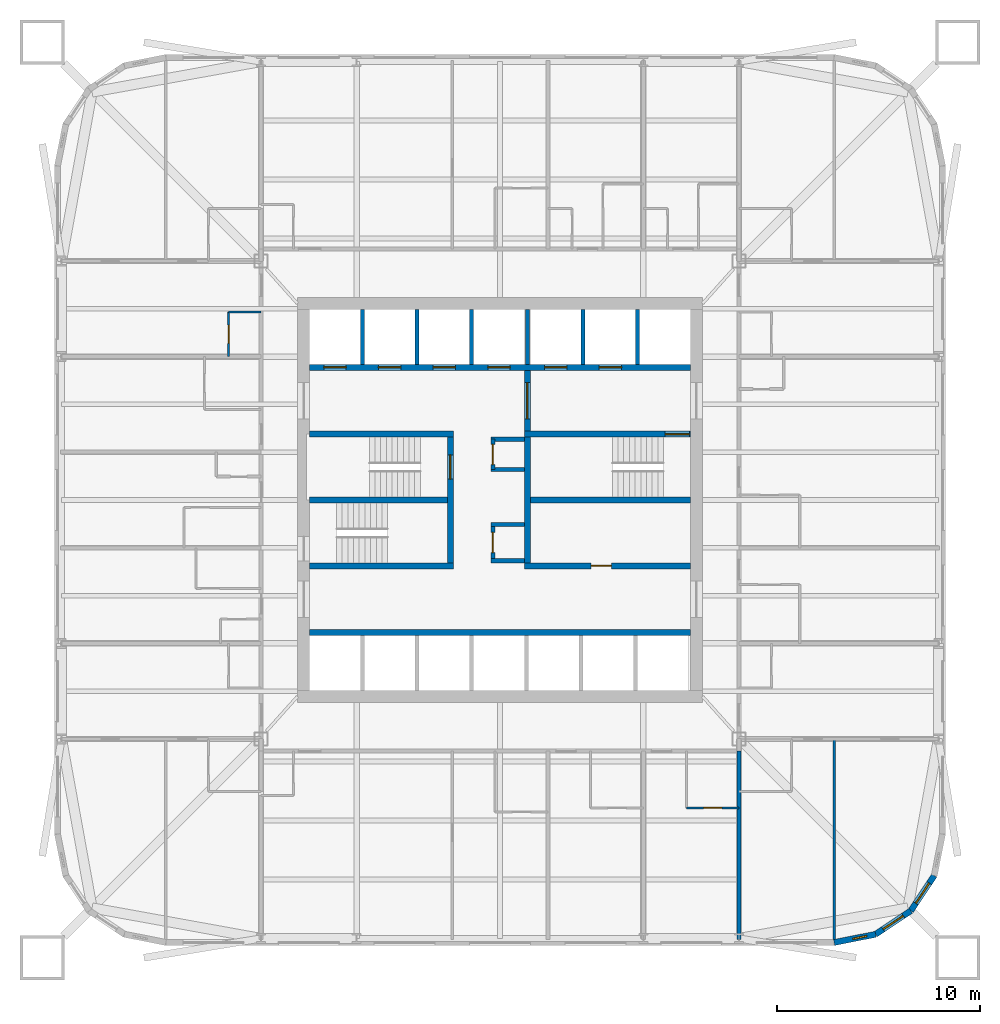
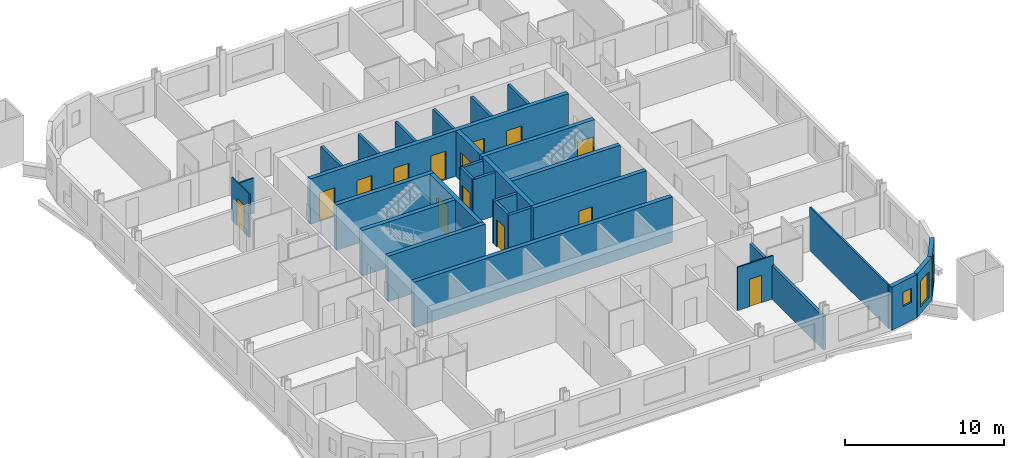
# One storey, part 5 of 10: 30 walls, 14 doors, 3 windows, 17 openings.
"""IFC4 building model written with IfcOpenShell, lengths in metres."""

from ifc_helpers import new_model, si_unit, direction, frame, frame_2d, origin, place, context, subcontext, project, spatial, rectangle, extrude, material, layer, layer_set, type_object, element, fill, save


model = new_model("IFC4")

# Units and contexts
model_context = context("Model", 3, precision=1e-05, world=origin(), true_north=direction((0.0, 1.0)))
body_context = subcontext(model_context, "Body", "Model", "MODEL_VIEW")
ifc_project = project(units=[si_unit("LENGTHUNIT", "METRE"), si_unit("AREAUNIT", "SQUARE_METRE"), si_unit("VOLUMEUNIT", "CUBIC_METRE"), si_unit("PLANEANGLEUNIT", "RADIAN"), si_unit("MASSUNIT", "GRAM", prefix="KILO")], contexts=[model_context])

# Site, building, storey
site_placement = place(None, origin())
site = spatial("IfcSite", under=ifc_project, at=site_placement, CompositionType="ELEMENT")
building_placement = place(site_placement, origin())
building = spatial("IfcBuilding", under=site, at=building_placement, Name="Turquesa Mirador Hotel Tower", CompositionType="ELEMENT")
storey_placement = place(building_placement, frame((0.0, 0.0, 32.0)))
storey = spatial("IfcBuildingStorey", under=building, at=storey_placement, Name="L07", CompositionType="ELEMENT", Elevation=32.0)

# Wall, opening, door
ifc_material_1 = material(Name="Gypsum board on steel studs", Category="steel")
ifc_layer_1 = layer(ifc_material_1, 0.10009765625)
ifc_layer_set_1 = layer_set([ifc_layer_1], Name="BATHROOM WALL 100")
wall_type_1 = type_object("IfcWallType", Name="BATHROOM WALL 100", PredefinedType="PARTITIONING", material=ifc_layer_set_1)
wall_1_placement = place(storey_placement, frame((64.199951171875, 29.800048828125, 0.0), z_axis=(0.0, 0.0, 1.0), x_axis=(1.0, 0.0, 0.0)))
wall_1 = element("IfcWall", 1, at=wall_1_placement, inside=storey, type_object=wall_type_1, Name="Partition L07 011", PredefinedType="PARTITIONING", context=body_context, shape_type="SweptSolid", body=[
    extrude(rectangle(XDim=2.60009765625, YDim=0.10009765625, at=frame_2d((1.300048828125, 0.0))), origin(), (0.0, 0.0, 1.0), 3.330078125),
])
opening_1_placement = place(wall_1_placement, frame((0.85009765625, 0.0, 0.0)))
opening_1 = element("IfcOpeningElement", 2, at=opening_1_placement, cuts=wall_1, Name="Opening D02", PredefinedType="OPENING", context=body_context, shape_type="SweptSolid", body=[
    extrude(rectangle(XDim=0.89990234375, YDim=2.10009765625, at=frame_2d((0.449951171875, 1.050048828125))), frame((0.0, 0.06005859375, 0.0), z_axis=(0.0, -1.0, 0.0), x_axis=(1.0, 0.0, 0.0)), (0.0, 0.0, 1.0), 0.1201171875),
])
ifc_material_2 = material(Name="Timber veneered door", Category="wood")
door_type_1 = type_object("IfcDoorType", Name="DOOR 900X2100 EN-SUITE", OperationType="SINGLE_SWING_RIGHT", PredefinedType="DOOR", material=ifc_material_2)
door_1_placement = place(opening_1_placement, origin())
door_1 = element("IfcDoor", 3, at=door_1_placement, inside=storey, type_object=door_type_1, Name="Door 0706B", OperationType="SINGLE_SWING_RIGHT", OverallHeight=2.10009765625, OverallWidth=0.89990234375, PredefinedType="DOOR", context=body_context, shape_type="SweptSolid", body=[
    extrude(rectangle(XDim=0.89990234375, YDim=2.10009765625, at=frame_2d((0.449951171875, 1.050048828125))), frame((0.0, 0.02490234375, 0.0), z_axis=(0.0, -1.0, 0.0), x_axis=(1.0, 0.0, 0.0)), (0.0, 0.0, 1.0), 0.050048828125),
])
fill(opening_1, door_1)

# Wall
wall_2_placement = place(storey_placement, frame((41.60009765625, 54.280029296875, 0.0), z_axis=(0.0, 0.0, 1.0), x_axis=(1.0, 0.0, 0.0)))
element("IfcWall", 4, at=wall_2_placement, inside=storey, type_object=wall_type_1, Name="Partition L07 042", PredefinedType="PARTITIONING", context=body_context, shape_type="SweptSolid", body=[
    extrude(rectangle(XDim=1.599853515625, YDim=0.10009765625, at=frame_2d((0.7998046875, 0.0))), origin(), (0.0, 0.0, 1.0), 2.722900390625),
])

# Wall, opening, door
wall_3_placement = place(storey_placement, frame((41.60009765625, 52.080078125, 0.0), z_axis=(0.0, 0.0, 1.0), x_axis=(0.0, 1.0, 0.0)))
wall_3 = element("IfcWall", 5, at=wall_3_placement, inside=storey, type_object=wall_type_1, Name="Partition L07 054", PredefinedType="PARTITIONING", context=body_context, shape_type="SweptSolid", body=[
    extrude(rectangle(XDim=2.199951171875, YDim=0.10009765625, at=frame_2d((1.10009765625, 0.0))), origin(), (0.0, 0.0, 1.0), 3.330078125),
])
opening_2_placement = place(wall_3_placement, frame((0.64990234375, 0.0, 0.0)))
opening_2 = element("IfcOpeningElement", 6, at=opening_2_placement, cuts=wall_3, Name="Opening D06", PredefinedType="OPENING", context=body_context, shape_type="SweptSolid", body=[
    extrude(rectangle(XDim=0.89990234375, YDim=2.10009765625, at=frame_2d((0.449951171875, 1.050048828125))), frame((0.0, 0.06005859375, 0.0), z_axis=(0.0, -1.0, 0.0), x_axis=(1.0, 0.0, 0.0)), (0.0, 0.0, 1.0), 0.1201171875),
])
ifc_material_3 = material(Name="Laminate door", Category="wood")
door_type_2 = type_object("IfcDoorType", Name="DOOR 900X2100 WC", OperationType="SINGLE_SWING_LEFT", PredefinedType="DOOR", material=ifc_material_3)
door_2_placement = place(opening_2_placement, origin())
door_2 = element("IfcDoor", 7, at=door_2_placement, inside=storey, type_object=door_type_2, Name="Door 0713W", OperationType="SINGLE_SWING_LEFT", OverallHeight=2.10009765625, OverallWidth=0.89990234375, PredefinedType="DOOR", context=body_context, shape_type="SweptSolid", body=[
    extrude(rectangle(XDim=0.89990234375, YDim=2.10009765625, at=frame_2d((0.449951171875, 1.050048828125))), frame((0.0, 0.02490234375, 0.0), z_axis=(0.0, -1.0, 0.0), x_axis=(1.0, 0.0, 0.0)), (0.0, 0.0, 1.0), 0.050048828125),
])
fill(opening_2, door_2)

# Wall, openings, doors
ifc_material_4 = material(Name="Concrete C50/60", Category="concrete")
ifc_layer_2 = layer(ifc_material_4, 0.300048828125)
ifc_layer_set_2 = layer_set([ifc_layer_2], Name="CORE INNER WALL 300")
wall_type_2 = type_object("IfcWallType", Name="CORE INNER WALL 300", PredefinedType="SHEAR", material=ifc_layer_set_2)
wall_4_placement = place(storey_placement, frame((45.60009765625, 51.550048828125, 0.0), z_axis=(0.0, 0.0, 1.0), x_axis=(1.0, 0.0, 0.0)))
wall_4 = element("IfcWall", 8, at=wall_4_placement, inside=storey, type_object=wall_type_2, Name="Core wall NL", PredefinedType="SHEAR", context=body_context, shape_type="SweptSolid", body=[
    extrude(rectangle(XDim=18.7998046875, YDim=0.300048828125, at=frame_2d((9.39990234375, 0.0))), origin(), (0.0, 0.0, 1.0), 3.5),
])
opening_3_placement = place(wall_4_placement, frame((0.699951171875, 0.0, 0.0)))
opening_3 = element("IfcOpeningElement", 9, at=opening_3_placement, cuts=wall_4, Name="Opening LD", PredefinedType="OPENING", context=body_context, shape_type="SweptSolid", body=[
    extrude(rectangle(XDim=1.10009765625, YDim=2.199951171875, at=frame_2d((0.550048828125, 1.10009765625))), frame((0.0, 0.159912109375, 0.0), z_axis=(0.0, -1.0, 0.0), x_axis=(1.0, 0.0, 0.0)), (0.0, 0.0, 1.0), 0.320068359375),
])
opening_4_placement = place(wall_4_placement, frame((3.39990234375, 0.0, 0.0)))
opening_4 = element("IfcOpeningElement", 10, at=opening_4_placement, cuts=wall_4, Name="Opening LD", PredefinedType="OPENING", context=body_context, shape_type="SweptSolid", body=[
    extrude(rectangle(XDim=1.10009765625, YDim=2.199951171875, at=frame_2d((0.550048828125, 1.10009765625))), frame((0.0, 0.159912109375, 0.0), z_axis=(0.0, -1.0, 0.0), x_axis=(1.0, 0.0, 0.0)), (0.0, 0.0, 1.0), 0.320068359375),
])
opening_5_placement = place(wall_4_placement, frame((6.10009765625, 0.0, 0.0)))
opening_5 = element("IfcOpeningElement", 11, at=opening_5_placement, cuts=wall_4, Name="Opening LD", PredefinedType="OPENING", context=body_context, shape_type="SweptSolid", body=[
    extrude(rectangle(XDim=1.10009765625, YDim=2.199951171875, at=frame_2d((0.550048828125, 1.10009765625))), frame((0.0, 0.159912109375, 0.0), z_axis=(0.0, -1.0, 0.0), x_axis=(1.0, 0.0, 0.0)), (0.0, 0.0, 1.0), 0.320068359375),
])
opening_6_placement = place(wall_4_placement, frame((8.800048828125, 0.0, 0.0)))
opening_6 = element("IfcOpeningElement", 12, at=opening_6_placement, cuts=wall_4, Name="Opening LD", PredefinedType="OPENING", context=body_context, shape_type="SweptSolid", body=[
    extrude(rectangle(XDim=1.10009765625, YDim=2.199951171875, at=frame_2d((0.550048828125, 1.10009765625))), frame((0.0, 0.159912109375, 0.0), z_axis=(0.0, -1.0, 0.0), x_axis=(1.0, 0.0, 0.0)), (0.0, 0.0, 1.0), 0.320068359375),
])
opening_7_placement = place(wall_4_placement, frame((11.60009765625, 0.0, 0.0)))
opening_7 = element("IfcOpeningElement", 13, at=opening_7_placement, cuts=wall_4, Name="Opening LD", PredefinedType="OPENING", context=body_context, shape_type="SweptSolid", body=[
    extrude(rectangle(XDim=1.10009765625, YDim=2.199951171875, at=frame_2d((0.550048828125, 1.10009765625))), frame((0.0, 0.159912109375, 0.0), z_axis=(0.0, -1.0, 0.0), x_axis=(1.0, 0.0, 0.0)), (0.0, 0.0, 1.0), 0.320068359375),
])
opening_8_placement = place(wall_4_placement, frame((14.300048828125, 0.0, 0.0)))
opening_8 = element("IfcOpeningElement", 14, at=opening_8_placement, cuts=wall_4, Name="Opening LD", PredefinedType="OPENING", context=body_context, shape_type="SweptSolid", body=[
    extrude(rectangle(XDim=1.10009765625, YDim=2.199951171875, at=frame_2d((0.550048828125, 1.10009765625))), frame((0.0, 0.159912109375, 0.0), z_axis=(0.0, -1.0, 0.0), x_axis=(1.0, 0.0, 0.0)), (0.0, 0.0, 1.0), 0.320068359375),
])
ifc_material_5 = material(Name="Stainless steel lift landing door", Category="steel")
door_type_3 = type_object("IfcDoorType", Name="LIFT LANDING DOOR 1100X2200", OperationType="SLIDING_TO_LEFT", PredefinedType="DOOR", material=ifc_material_5)
door_3_placement = place(opening_3_placement, origin())
door_3 = element("IfcDoor", 15, at=door_3_placement, inside=storey, type_object=door_type_3, Name="Lift A1 landing door", OperationType="SLIDING_TO_LEFT", OverallHeight=2.199951171875, OverallWidth=1.10009765625, PredefinedType="DOOR", context=body_context, shape_type="SweptSolid", body=[
    extrude(rectangle(XDim=1.10009765625, YDim=2.199951171875, at=frame_2d((0.550048828125, 1.10009765625))), frame((0.0, 0.02490234375, 0.0), z_axis=(0.0, -1.0, 0.0), x_axis=(1.0, 0.0, 0.0)), (0.0, 0.0, 1.0), 0.050048828125),
])
fill(opening_3, door_3)
door_4_placement = place(opening_4_placement, origin())
door_4 = element("IfcDoor", 16, at=door_4_placement, inside=storey, type_object=door_type_3, Name="Lift A2 landing door", OperationType="SLIDING_TO_LEFT", OverallHeight=2.199951171875, OverallWidth=1.10009765625, PredefinedType="DOOR", context=body_context, shape_type="SweptSolid", body=[
    extrude(rectangle(XDim=1.10009765625, YDim=2.199951171875, at=frame_2d((0.550048828125, 1.10009765625))), frame((0.0, 0.02490234375, 0.0), z_axis=(0.0, -1.0, 0.0), x_axis=(1.0, 0.0, 0.0)), (0.0, 0.0, 1.0), 0.050048828125),
])
fill(opening_4, door_4)
door_5_placement = place(opening_5_placement, origin())
door_5 = element("IfcDoor", 17, at=door_5_placement, inside=storey, type_object=door_type_3, Name="Lift A3 landing door", OperationType="SLIDING_TO_LEFT", OverallHeight=2.199951171875, OverallWidth=1.10009765625, PredefinedType="DOOR", context=body_context, shape_type="SweptSolid", body=[
    extrude(rectangle(XDim=1.10009765625, YDim=2.199951171875, at=frame_2d((0.550048828125, 1.10009765625))), frame((0.0, 0.02490234375, 0.0), z_axis=(0.0, -1.0, 0.0), x_axis=(1.0, 0.0, 0.0)), (0.0, 0.0, 1.0), 0.050048828125),
])
fill(opening_5, door_5)
door_6_placement = place(opening_6_placement, origin())
door_6 = element("IfcDoor", 18, at=door_6_placement, inside=storey, type_object=door_type_3, Name="Lift A4 landing door", OperationType="SLIDING_TO_LEFT", OverallHeight=2.199951171875, OverallWidth=1.10009765625, PredefinedType="DOOR", context=body_context, shape_type="SweptSolid", body=[
    extrude(rectangle(XDim=1.10009765625, YDim=2.199951171875, at=frame_2d((0.550048828125, 1.10009765625))), frame((0.0, 0.02490234375, 0.0), z_axis=(0.0, -1.0, 0.0), x_axis=(1.0, 0.0, 0.0)), (0.0, 0.0, 1.0), 0.050048828125),
])
fill(opening_6, door_6)
door_7_placement = place(opening_7_placement, origin())
door_7 = element("IfcDoor", 19, at=door_7_placement, inside=storey, type_object=door_type_3, Name="Lift S1 landing door", OperationType="SLIDING_TO_LEFT", OverallHeight=2.199951171875, OverallWidth=1.10009765625, PredefinedType="DOOR", context=body_context, shape_type="SweptSolid", body=[
    extrude(rectangle(XDim=1.10009765625, YDim=2.199951171875, at=frame_2d((0.550048828125, 1.10009765625))), frame((0.0, 0.02490234375, 0.0), z_axis=(0.0, -1.0, 0.0), x_axis=(1.0, 0.0, 0.0)), (0.0, 0.0, 1.0), 0.050048828125),
])
fill(opening_7, door_7)
door_8_placement = place(opening_8_placement, origin())
door_8 = element("IfcDoor", 20, at=door_8_placement, inside=storey, type_object=door_type_3, Name="Lift S2 landing door", OperationType="SLIDING_TO_LEFT", OverallHeight=2.199951171875, OverallWidth=1.10009765625, PredefinedType="DOOR", context=body_context, shape_type="SweptSolid", body=[
    extrude(rectangle(XDim=1.10009765625, YDim=2.199951171875, at=frame_2d((0.550048828125, 1.10009765625))), frame((0.0, 0.02490234375, 0.0), z_axis=(0.0, -1.0, 0.0), x_axis=(1.0, 0.0, 0.0)), (0.0, 0.0, 1.0), 0.050048828125),
])
fill(opening_8, door_8)

# Walls
wall_5_placement = place(storey_placement, frame((45.60009765625, 38.449951171875, 0.0), z_axis=(0.0, 0.0, 1.0), x_axis=(1.0, 0.0, 0.0)))
element("IfcWall", 21, at=wall_5_placement, inside=storey, type_object=wall_type_2, Name="Core wall SL", PredefinedType="SHEAR", context=body_context, shape_type="SweptSolid", body=[
    extrude(rectangle(XDim=18.7998046875, YDim=0.300048828125, at=frame_2d((9.39990234375, 0.0))), origin(), (0.0, 0.0, 1.0), 3.5),
])
wall_6_placement = place(storey_placement, frame((45.60009765625, 48.25, 0.0), z_axis=(0.0, 0.0, 1.0), x_axis=(1.0, 0.0, 0.0)))
element("IfcWall", 22, at=wall_6_placement, inside=storey, type_object=wall_type_2, Name="Core wall MN-W", PredefinedType="SHEAR", context=body_context, shape_type="SweptSolid", body=[
    extrude(rectangle(XDim=7.099853515625, YDim=0.300048828125, at=frame_2d((3.5498046875, 0.0))), origin(), (0.0, 0.0, 1.0), 3.5),
])

# Wall, opening, door
wall_7_placement = place(storey_placement, frame((56.199951171875, 48.25, 0.0), z_axis=(0.0, 0.0, 1.0), x_axis=(1.0, 0.0, 0.0)))
wall_7 = element("IfcWall", 23, at=wall_7_placement, inside=storey, type_object=wall_type_2, Name="Core wall MN-E", PredefinedType="SHEAR", context=body_context, shape_type="SweptSolid", body=[
    extrude(rectangle(XDim=8.199951171875, YDim=0.300048828125, at=frame_2d((4.10009765625, 0.0))), origin(), (0.0, 0.0, 1.0), 3.5),
])
opening_9_placement = place(wall_7_placement, frame((6.949951171875, 0.0, 0.0)))
opening_9 = element("IfcOpeningElement", 24, at=opening_9_placement, cuts=wall_7, Name="Opening D03", PredefinedType="OPENING", context=body_context, shape_type="SweptSolid", body=[
    extrude(rectangle(XDim=1.199951171875, YDim=2.199951171875, at=frame_2d((0.60009765625, 1.10009765625))), frame((0.0, 0.159912109375, 0.0), z_axis=(0.0, -1.0, 0.0), x_axis=(1.0, 0.0, 0.0)), (0.0, 0.0, 1.0), 0.320068359375),
])
ifc_material_6 = material(Name="Steel fire door", Category="steel")
door_type_4 = type_object("IfcDoorType", Name="DOOR 1200X2200 STAIR", OperationType="SINGLE_SWING_LEFT", PredefinedType="DOOR", material=ifc_material_6)
door_9_placement = place(opening_9_placement, origin())
door_9 = element("IfcDoor", 25, at=door_9_placement, inside=storey, type_object=door_type_4, Name="Stair ST3 door", OperationType="SINGLE_SWING_LEFT", OverallHeight=2.199951171875, OverallWidth=1.199951171875, PredefinedType="DOOR", context=body_context, shape_type="SweptSolid", body=[
    extrude(rectangle(XDim=1.199951171875, YDim=2.199951171875, at=frame_2d((0.60009765625, 1.10009765625))), frame((0.0, 0.02490234375, 0.0), z_axis=(0.0, -1.0, 0.0), x_axis=(1.0, 0.0, 0.0)), (0.0, 0.0, 1.0), 0.050048828125),
])
fill(opening_9, door_9)

# Wall
wall_8_placement = place(storey_placement, frame((45.60009765625, 41.75, 0.0), z_axis=(0.0, 0.0, 1.0), x_axis=(1.0, 0.0, 0.0)))
element("IfcWall", 26, at=wall_8_placement, inside=storey, type_object=wall_type_2, Name="Core wall MS-W", PredefinedType="SHEAR", context=body_context, shape_type="SweptSolid", body=[
    extrude(rectangle(XDim=7.099853515625, YDim=0.300048828125, at=frame_2d((3.5498046875, 0.0))), origin(), (0.0, 0.0, 1.0), 3.5),
])

# Wall, opening, door
wall_9_placement = place(storey_placement, frame((56.199951171875, 41.75, 0.0), z_axis=(0.0, 0.0, 1.0), x_axis=(1.0, 0.0, 0.0)))
wall_9 = element("IfcWall", 27, at=wall_9_placement, inside=storey, type_object=wall_type_2, Name="Core wall MS-E", PredefinedType="SHEAR", context=body_context, shape_type="SweptSolid", body=[
    extrude(rectangle(XDim=8.199951171875, YDim=0.300048828125, at=frame_2d((4.10009765625, 0.0))), origin(), (0.0, 0.0, 1.0), 3.5),
])
opening_10_placement = place(wall_9_placement, frame((3.300048828125, 0.0, 0.0)))
opening_10 = element("IfcOpeningElement", 28, at=opening_10_placement, cuts=wall_9, Name="Opening D05", PredefinedType="OPENING", context=body_context, shape_type="SweptSolid", body=[
    extrude(rectangle(XDim=1.0, YDim=2.10009765625, at=frame_2d((0.5, 1.050048828125))), frame((0.0, 0.159912109375, 0.0), z_axis=(0.0, -1.0, 0.0), x_axis=(1.0, 0.0, 0.0)), (0.0, 0.0, 1.0), 0.320068359375),
])
ifc_material_7 = material(Name="Steel fire door", Category="steel")
door_type_5 = type_object("IfcDoorType", Name="DOOR 1000X2100 SERVICE", OperationType="SINGLE_SWING_LEFT", PredefinedType="DOOR", material=ifc_material_7)
door_10_placement = place(opening_10_placement, origin())
door_10 = element("IfcDoor", 29, at=door_10_placement, inside=storey, type_object=door_type_5, Name="Housekeeping room door", OperationType="SINGLE_SWING_LEFT", OverallHeight=2.10009765625, OverallWidth=1.0, PredefinedType="DOOR", context=body_context, shape_type="SweptSolid", body=[
    extrude(rectangle(XDim=1.0, YDim=2.10009765625, at=frame_2d((0.5, 1.050048828125))), frame((0.0, 0.02490234375, 0.0), z_axis=(0.0, -1.0, 0.0), x_axis=(1.0, 0.0, 0.0)), (0.0, 0.0, 1.0), 0.050048828125),
])
fill(opening_10, door_10)

wall_10_placement = place(storey_placement, frame((52.550048828125, 41.89990234375, 0.0), z_axis=(0.0, 0.0, 1.0), x_axis=(0.0, 1.0, 0.0)))
wall_10 = element("IfcWall", 30, at=wall_10_placement, inside=storey, type_object=wall_type_2, Name="Core wall PW", PredefinedType="SHEAR", context=body_context, shape_type="SweptSolid", body=[
    extrude(rectangle(XDim=6.2001953125, YDim=0.300048828125, at=frame_2d((3.10009765625, 0.0))), origin(), (0.0, 0.0, 1.0), 3.5),
])
opening_11_placement = place(wall_10_placement, frame((4.125, 0.0, 0.0)))
opening_11 = element("IfcOpeningElement", 31, at=opening_11_placement, cuts=wall_10, Name="Opening D03", PredefinedType="OPENING", context=body_context, shape_type="SweptSolid", body=[
    extrude(rectangle(XDim=1.199951171875, YDim=2.199951171875, at=frame_2d((0.60009765625, 1.10009765625))), frame((0.0, 0.159912109375, 0.0), z_axis=(0.0, -1.0, 0.0), x_axis=(1.0, 0.0, 0.0)), (0.0, 0.0, 1.0), 0.320068359375),
])
door_11_placement = place(opening_11_placement, origin())
door_11 = element("IfcDoor", 32, at=door_11_placement, inside=storey, type_object=door_type_4, Name="Stair ST1 door", OperationType="SINGLE_SWING_LEFT", OverallHeight=2.199951171875, OverallWidth=1.199951171875, PredefinedType="DOOR", context=body_context, shape_type="SweptSolid", body=[
    extrude(rectangle(XDim=1.199951171875, YDim=2.199951171875, at=frame_2d((0.60009765625, 1.10009765625))), frame((0.0, 0.02490234375, 0.0), z_axis=(0.0, -1.0, 0.0), x_axis=(1.0, 0.0, 0.0)), (0.0, 0.0, 1.0), 0.050048828125),
])
fill(opening_11, door_11)

wall_11_placement = place(storey_placement, frame((56.35009765625, 41.89990234375, 0.0), z_axis=(0.0, 0.0, 1.0), x_axis=(0.0, 1.0, 0.0)))
wall_11 = element("IfcWall", 33, at=wall_11_placement, inside=storey, type_object=wall_type_2, Name="Core wall PE", PredefinedType="SHEAR", context=body_context, shape_type="SweptSolid", body=[
    extrude(rectangle(XDim=9.5, YDim=0.300048828125, at=frame_2d((4.75, 0.0))), origin(), (0.0, 0.0, 1.0), 3.5),
])
opening_12_placement = place(wall_11_placement, frame((7.10009765625, 0.0, 0.0)))
opening_12 = element("IfcOpeningElement", 34, at=opening_12_placement, cuts=wall_11, Name="Opening D04", PredefinedType="OPENING", context=body_context, shape_type="SweptSolid", body=[
    extrude(rectangle(XDim=1.800048828125, YDim=2.199951171875, at=frame_2d((0.89990234375, 1.10009765625))), frame((0.0, 0.159912109375, 0.0), z_axis=(0.0, -1.0, 0.0), x_axis=(1.0, 0.0, 0.0)), (0.0, 0.0, 1.0), 0.320068359375),
])
ifc_material_8 = material(Name="Steel fire door pair", Category="steel")
door_type_6 = type_object("IfcDoorType", Name="DOOR 1800X2200 PAIR", OperationType="DOUBLE_DOOR_SINGLE_SWING", PredefinedType="DOOR", material=ifc_material_8)
door_12_placement = place(opening_12_placement, origin())
door_12 = element("IfcDoor", 35, at=door_12_placement, inside=storey, type_object=door_type_6, Name="Firefighting lobby inner door", OperationType="DOUBLE_DOOR_SINGLE_SWING", OverallHeight=2.199951171875, OverallWidth=1.800048828125, PredefinedType="DOOR", context=body_context, shape_type="SweptSolid", body=[
    extrude(rectangle(XDim=1.800048828125, YDim=2.199951171875, at=frame_2d((0.89990234375, 1.10009765625))), frame((0.0, 0.02490234375, 0.0), z_axis=(0.0, -1.0, 0.0), x_axis=(1.0, 0.0, 0.0)), (0.0, 0.0, 1.0), 0.050048828125),
])
fill(opening_12, door_12)

# Walls
wall_12_placement = place(storey_placement, frame((45.60009765625, 45.0, 0.0), z_axis=(0.0, 0.0, 1.0), x_axis=(1.0, 0.0, 0.0)))
element("IfcWall", 36, at=wall_12_placement, inside=storey, type_object=wall_type_2, Name="Core wall M0-W", PredefinedType="SHEAR", context=body_context, shape_type="SweptSolid", body=[
    extrude(rectangle(XDim=6.7998046875, YDim=0.300048828125, at=frame_2d((3.39990234375, 0.0))), origin(), (0.0, 0.0, 1.0), 3.5),
])
wall_13_placement = place(storey_placement, frame((56.5, 45.0, 0.0), z_axis=(0.0, 0.0, 1.0), x_axis=(1.0, 0.0, 0.0)))
element("IfcWall", 37, at=wall_13_placement, inside=storey, type_object=wall_type_2, Name="Core wall M0-E", PredefinedType="SHEAR", context=body_context, shape_type="SweptSolid", body=[
    extrude(rectangle(XDim=7.89990234375, YDim=0.300048828125, at=frame_2d((3.949951171875, 0.0))), origin(), (0.0, 0.0, 1.0), 3.5),
])

# Wall, opening, window
ifc_material_9 = material(Name="Limestone cladding on concrete block", Category="masonry")
ifc_layer_3 = layer(ifc_material_9, 0.300048828125)
ifc_layer_set_3 = layer_set([ifc_layer_3], Name="FACADE WALL 300 STONE SCREEN")
wall_type_3 = type_object("IfcWallType", Name="FACADE WALL 300 STONE SCREEN", PredefinedType="SOLIDWALL", material=ifc_layer_set_3)
wall_14_placement = place(storey_placement, frame((71.5, 23.14990234375, 0.0), z_axis=(0.0, 0.0, 1.0), x_axis=(0.980787050784, 0.195081421501, 0.0)))
wall_14 = element("IfcWall", 38, at=wall_14_placement, inside=storey, type_object=wall_type_3, Name="Facade wall L07 00", PredefinedType="SOLIDWALL", context=body_context, shape_type="SweptSolid", body=[
    extrude(rectangle(XDim=2.08740234375, YDim=0.300048828125, at=frame_2d((1.043701171875, 0.0))), origin(), (0.0, 0.0, 1.0), 3.330078125),
])
opening_13_placement = place(wall_14_placement, frame((0.943603515625, 0.0, 1.39990234375)))
opening_13 = element("IfcOpeningElement", 39, at=opening_13_placement, cuts=wall_14, Name="Opening WN16", PredefinedType="OPENING", context=body_context, shape_type="SweptSolid", body=[
    extrude(rectangle(XDim=0.699951171875, YDim=1.10009765625, at=frame_2d((0.35009765625, 0.550048828125))), frame((0.0, 0.159912109375, 0.0), z_axis=(0.0, -1.0, 0.0), x_axis=(1.0, 0.0, 0.0)), (0.0, 0.0, 1.0), 0.320068359375),
])
ifc_material_10 = material(Name="Ceramic-fritted laminated glass", Category="glass")
window_type_1 = type_object("IfcWindowType", Name="FRITTED CORNER WINDOW 700X1100", PartitioningType="DOUBLE_PANEL_HORIZONTAL", PredefinedType="WINDOW", material=ifc_material_10)
window_1_placement = place(opening_13_placement, origin())
window_1 = element("IfcWindow", 40, at=window_1_placement, inside=storey, type_object=window_type_1, Name="Window L07", OverallHeight=1.10009765625, OverallWidth=0.699951171875, PartitioningType="SINGLE_PANEL", PredefinedType="WINDOW", context=body_context, shape_type="SweptSolid", body=[
    extrude(rectangle(XDim=0.699951171875, YDim=1.10009765625, at=frame_2d((0.35009765625, 0.550048828125))), frame((0.0, 0.030029296875, 0.0), z_axis=(0.0, -1.0, 0.0), x_axis=(1.0, 0.0, 0.0)), (0.0, 0.0, 1.0), 0.06005859375),
])
fill(opening_13, window_1)

wall_15_placement = place(storey_placement, frame((73.54736328125, 23.55712890625, 0.0), z_axis=(0.0, 0.0, 1.0), x_axis=(0.831420010345, 0.555644460423, 0.0)))
wall_15 = element("IfcWall", 41, at=wall_15_placement, inside=storey, type_object=wall_type_3, Name="Facade wall L07 01", PredefinedType="SOLIDWALL", context=body_context, shape_type="SweptSolid", body=[
    extrude(rectangle(XDim=2.08740234375, YDim=0.300048828125, at=frame_2d((1.043701171875, 0.0))), origin(), (0.0, 0.0, 1.0), 3.330078125),
])
opening_14_placement = place(wall_15_placement, frame((0.443603515625, 0.0, 0.5)))
opening_14 = element("IfcOpeningElement", 42, at=opening_14_placement, cuts=wall_15, Name="Opening WN4", PredefinedType="OPENING", context=body_context, shape_type="SweptSolid", body=[
    extrude(rectangle(XDim=1.199951171875, YDim=2.0, at=frame_2d((0.60009765625, 1.0))), frame((0.0, 0.159912109375, 0.0), z_axis=(0.0, -1.0, 0.0), x_axis=(1.0, 0.0, 0.0)), (0.0, 0.0, 1.0), 0.320068359375),
])
ifc_material_11 = material(Name="Ceramic-fritted laminated glass", Category="glass")
window_type_2 = type_object("IfcWindowType", Name="FRITTED CORNER WINDOW 1200X2000", PartitioningType="DOUBLE_PANEL_HORIZONTAL", PredefinedType="WINDOW", material=ifc_material_11)
window_2_placement = place(opening_14_placement, origin())
window_2 = element("IfcWindow", 43, at=window_2_placement, inside=storey, type_object=window_type_2, Name="Window L07", OverallHeight=2.0, OverallWidth=1.199951171875, PartitioningType="SINGLE_PANEL", PredefinedType="WINDOW", context=body_context, shape_type="SweptSolid", body=[
    extrude(rectangle(XDim=1.199951171875, YDim=2.0, at=frame_2d((0.60009765625, 1.0))), frame((0.0, 0.030029296875, 0.0), z_axis=(0.0, -1.0, 0.0), x_axis=(1.0, 0.0, 0.0)), (0.0, 0.0, 1.0), 0.06005859375),
])
fill(opening_14, window_2)

wall_16_placement = place(storey_placement, frame((75.282958984375, 24.717041015625, 0.0), z_axis=(0.0, 0.0, 1.0), x_axis=(0.555644460423, 0.831420010345, 0.0)))
wall_16 = element("IfcWall", 44, at=wall_16_placement, inside=storey, type_object=wall_type_3, Name="Facade wall L07 02", PredefinedType="SOLIDWALL", context=body_context, shape_type="SweptSolid", body=[
    extrude(rectangle(XDim=2.08740234375, YDim=0.300048828125, at=frame_2d((1.043701171875, 0.0))), origin(), (0.0, 0.0, 1.0), 3.330078125),
])
opening_15_placement = place(wall_16_placement, frame((0.443603515625, 0.0, 0.5)))
opening_15 = element("IfcOpeningElement", 45, at=opening_15_placement, cuts=wall_16, Name="Opening WN4", PredefinedType="OPENING", context=body_context, shape_type="SweptSolid", body=[
    extrude(rectangle(XDim=1.199951171875, YDim=2.0, at=frame_2d((0.60009765625, 1.0))), frame((0.0, 0.159912109375, 0.0), z_axis=(0.0, -1.0, 0.0), x_axis=(1.0, 0.0, 0.0)), (0.0, 0.0, 1.0), 0.320068359375),
])
window_3_placement = place(opening_15_placement, origin())
window_3 = element("IfcWindow", 46, at=window_3_placement, inside=storey, type_object=window_type_2, Name="Window L07", OverallHeight=2.0, OverallWidth=1.199951171875, PartitioningType="SINGLE_PANEL", PredefinedType="WINDOW", context=body_context, shape_type="SweptSolid", body=[
    extrude(rectangle(XDim=1.199951171875, YDim=2.0, at=frame_2d((0.60009765625, 1.0))), frame((0.0, 0.030029296875, 0.0), z_axis=(0.0, -1.0, 0.0), x_axis=(1.0, 0.0, 0.0)), (0.0, 0.0, 1.0), 0.06005859375),
])
fill(opening_15, window_3)

# Wall, opening, door
ifc_material_12 = material(Name="Fire-rated gypsum board on steel studs", Category="steel")
ifc_layer_4 = layer(ifc_material_12, 0.199951171875)
ifc_layer_set_4 = layer_set([ifc_layer_4], Name="FIRE PARTITION 200")
wall_type_4 = type_object("IfcWallType", Name="FIRE PARTITION 200", PredefinedType="PARTITIONING", material=ifc_layer_set_4)
wall_17_placement = place(storey_placement, frame((54.64990234375, 42.0, 0.0), z_axis=(0.0, 0.0, 1.0), x_axis=(0.0, 1.0, 0.0)))
wall_17 = element("IfcWall", 47, at=wall_17_placement, inside=storey, type_object=wall_type_4, Name="Partition L07 CM W", PredefinedType="PARTITIONING", context=body_context, shape_type="SweptSolid", body=[
    extrude(rectangle(XDim=1.800048828125, YDim=0.199951171875, at=frame_2d((0.89990234375, 0.0))), origin(), (0.0, 0.0, 1.0), 3.330078125),
])
opening_16_placement = place(wall_17_placement, frame((0.39990234375, 0.0, 0.0)))
opening_16 = element("IfcOpeningElement", 48, at=opening_16_placement, cuts=wall_17, Name="Opening D05", PredefinedType="OPENING", context=body_context, shape_type="SweptSolid", body=[
    extrude(rectangle(XDim=1.0, YDim=2.10009765625, at=frame_2d((0.5, 1.050048828125))), frame((0.0, 0.10986328125, 0.0), z_axis=(0.0, -1.0, 0.0), x_axis=(1.0, 0.0, 0.0)), (0.0, 0.0, 1.0), 0.219970703125),
])
door_13_placement = place(opening_16_placement, origin())
door_13 = element("IfcDoor", 49, at=door_13_placement, inside=storey, type_object=door_type_5, Name="Comms room door", OperationType="SINGLE_SWING_LEFT", OverallHeight=2.10009765625, OverallWidth=1.0, PredefinedType="DOOR", context=body_context, shape_type="SweptSolid", body=[
    extrude(rectangle(XDim=1.0, YDim=2.10009765625, at=frame_2d((0.5, 1.050048828125))), frame((0.0, 0.02490234375, 0.0), z_axis=(0.0, -1.0, 0.0), x_axis=(1.0, 0.0, 0.0)), (0.0, 0.0, 1.0), 0.050048828125),
])
fill(opening_16, door_13)

# Walls
for number, where, z_axis, x_axis, name in (
    (50, (54.550048828125, 42.0, 0.0), (0.0, 0.0, 1.0), (1.0, 0.0, 0.0), "Partition L07 CM S"),
    (51, (54.550048828125, 43.800048828125, 0.0), (0.0, 0.0, 1.0), (1.0, 0.0, 0.0), "Partition L07 CM N"),
):
    element("IfcWall", number, at=place(storey_placement, frame(where, z_axis=z_axis, x_axis=x_axis)), inside=storey, type_object=wall_type_4, Name=name, PredefinedType="PARTITIONING", context=body_context, shape_type="SweptSolid", body=[
        extrude(rectangle(XDim=1.64990234375, YDim=0.199951171875, at=frame_2d((0.824951171875, 0.0))), origin(), (0.0, 0.0, 1.0), 3.330078125),
    ])

# Wall, opening, door
wall_18_placement = place(storey_placement, frame((54.64990234375, 46.5, 0.0), z_axis=(0.0, 0.0, 1.0), x_axis=(0.0, 1.0, 0.0)))
wall_18 = element("IfcWall", 52, at=wall_18_placement, inside=storey, type_object=wall_type_4, Name="Partition L07 CL W", PredefinedType="PARTITIONING", context=body_context, shape_type="SweptSolid", body=[
    extrude(rectangle(XDim=1.5, YDim=0.199951171875, at=frame_2d((0.75, 0.0))), origin(), (0.0, 0.0, 1.0), 3.330078125),
])
opening_17_placement = place(wall_18_placement, frame((0.25, 0.0, 0.0)))
opening_17 = element("IfcOpeningElement", 53, at=opening_17_placement, cuts=wall_18, Name="Opening D05", PredefinedType="OPENING", context=body_context, shape_type="SweptSolid", body=[
    extrude(rectangle(XDim=1.0, YDim=2.10009765625, at=frame_2d((0.5, 1.050048828125))), frame((0.0, 0.10986328125, 0.0), z_axis=(0.0, -1.0, 0.0), x_axis=(1.0, 0.0, 0.0)), (0.0, 0.0, 1.0), 0.219970703125),
])
door_14_placement = place(opening_17_placement, origin())
door_14 = element("IfcDoor", 54, at=door_14_placement, inside=storey, type_object=door_type_5, Name="Cleaner's cupboard door", OperationType="SINGLE_SWING_LEFT", OverallHeight=2.10009765625, OverallWidth=1.0, PredefinedType="DOOR", context=body_context, shape_type="SweptSolid", body=[
    extrude(rectangle(XDim=1.0, YDim=2.10009765625, at=frame_2d((0.5, 1.050048828125))), frame((0.0, 0.02490234375, 0.0), z_axis=(0.0, -1.0, 0.0), x_axis=(1.0, 0.0, 0.0)), (0.0, 0.0, 1.0), 0.050048828125),
])
fill(opening_17, door_14)

# Walls
for number, where, z_axis, x_axis, name in (
    (55, (54.550048828125, 46.5, 0.0), (0.0, 0.0, 1.0), (1.0, 0.0, 0.0), "Partition L07 CL S"),
    (56, (54.550048828125, 48.0, 0.0), (0.0, 0.0, 1.0), (1.0, 0.0, 0.0), "Partition L07 CL N"),
):
    element("IfcWall", number, at=place(storey_placement, frame(where, z_axis=z_axis, x_axis=x_axis)), inside=storey, type_object=wall_type_4, Name=name, PredefinedType="PARTITIONING", context=body_context, shape_type="SweptSolid", body=[
        extrude(rectangle(XDim=1.64990234375, YDim=0.199951171875, at=frame_2d((0.824951171875, 0.0))), origin(), (0.0, 0.0, 1.0), 3.330078125),
    ])
ifc_material_13 = material(Name="Fire-rated gypsum shaft wall on steel studs", Category="steel")
ifc_layer_5 = layer(ifc_material_13, 0.199951171875)
ifc_layer_set_5 = layer_set([ifc_layer_5], Name="LIFT SHAFT DIVIDER 200")
wall_type_5 = type_object("IfcWallType", Name="LIFT SHAFT DIVIDER 200", PredefinedType="PARTITIONING", material=ifc_layer_set_5)
for number, where, z_axis, x_axis, name in (
    (57, (48.199951171875, 51.699951171875, 0.0), (0.0, 0.0, 1.0), (0.0, 1.0, 0.0), "Lift shaft divider"),
    (58, (50.89990234375, 51.699951171875, 0.0), (0.0, 0.0, 1.0), (0.0, 1.0, 0.0), "Lift shaft divider"),
    (59, (53.60009765625, 51.699951171875, 0.0), (0.0, 0.0, 1.0), (0.0, 1.0, 0.0), "Lift shaft divider"),
    (60, (59.10009765625, 51.699951171875, 0.0), (0.0, 0.0, 1.0), (0.0, 1.0, 0.0), "Lift shaft divider"),
    (61, (61.800048828125, 51.699951171875, 0.0), (0.0, 0.0, 1.0), (0.0, 1.0, 0.0), "Lift shaft divider"),
    (62, (56.35009765625, 51.699951171875, 0.0), (0.0, 0.0, 1.0), (0.0, 1.0, 0.0), "Lift shaft divider"),
):
    element("IfcWall", number, at=place(storey_placement, frame(where, z_axis=z_axis, x_axis=x_axis)), inside=storey, type_object=wall_type_5, Name=name, PredefinedType="PARTITIONING", context=body_context, shape_type="SweptSolid", body=[
        extrude(rectangle(XDim=2.699951171875, YDim=0.199951171875, at=frame_2d((1.35009765625, 0.0))), origin(), (0.0, 0.0, 1.0), 3.330078125),
    ])
ifc_material_14 = material(Name="Fire-rated gypsum board on steel studs", Category="steel")
ifc_layer_6 = layer(ifc_material_14, 0.199951171875)
ifc_layer_set_6 = layer_set([ifc_layer_6], Name="PARTY WALL 200")
wall_type_6 = type_object("IfcWallType", Name="PARTY WALL 200", PredefinedType="PARTITIONING", material=ifc_layer_set_6)
wall_19_placement = place(storey_placement, frame((66.800048828125, 23.300048828125, 0.0), z_axis=(0.0, 0.0, 1.0), x_axis=(0.0, 1.0, 0.0)))
element("IfcWall", 63, at=wall_19_placement, inside=storey, type_object=wall_type_6, Name="Partition L07 067", PredefinedType="PARTITIONING", context=body_context, shape_type="SweptSolid", body=[
    extrude(rectangle(XDim=9.300048828125, YDim=0.199951171875, at=frame_2d((4.64990234375, 0.0))), origin(), (0.0, 0.0, 1.0), 2.572998046875),
])
ifc_material_15 = material(Name="Acoustic gypsum board on steel studs", Category="steel")
ifc_layer_7 = layer(ifc_material_15, 0.125)
ifc_layer_set_7 = layer_set([ifc_layer_7], Name="SUITE PARTITION 125")
wall_type_7 = type_object("IfcWallType", Name="SUITE PARTITION 125", PredefinedType="PARTITIONING", material=ifc_layer_set_7)
wall_20_placement = place(storey_placement, frame((71.5, 23.305908203125, 0.0), z_axis=(0.0, 0.0, 1.0), x_axis=(0.0, 1.0, 0.0)))
element("IfcWall", 64, at=wall_20_placement, inside=storey, type_object=wall_type_7, Name="Partition L07 076", PredefinedType="PARTITIONING", context=body_context, shape_type="SweptSolid", body=[
    extrude(rectangle(XDim=9.89404296875, YDim=0.125, at=frame_2d((4.947021484375, 0.0))), origin(), (0.0, 0.0, 1.0), 3.330078125),
])

save(model, "model.ifc")
